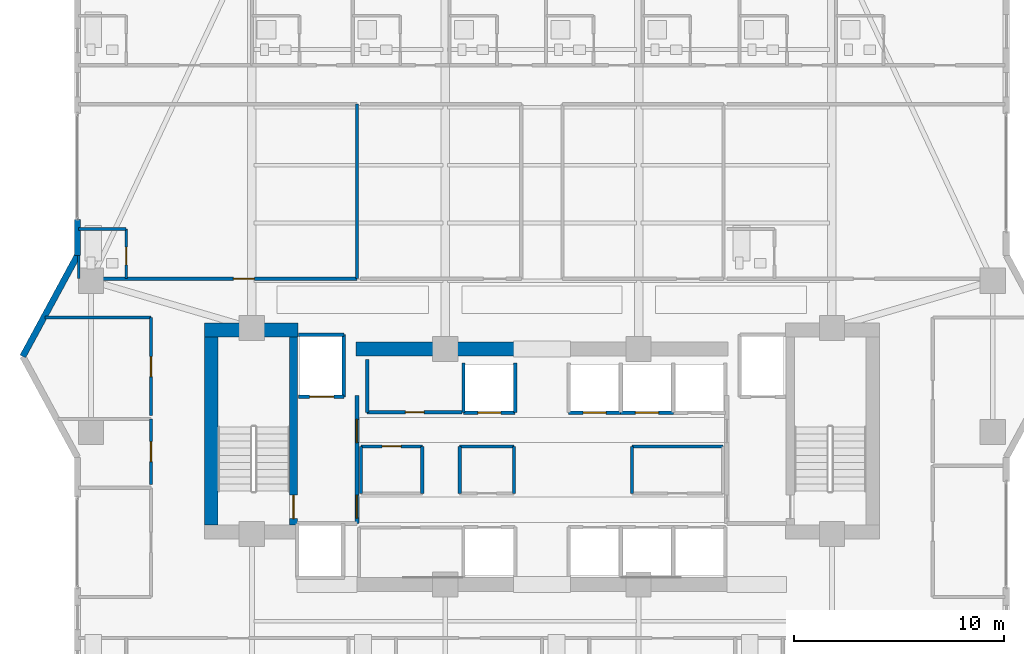
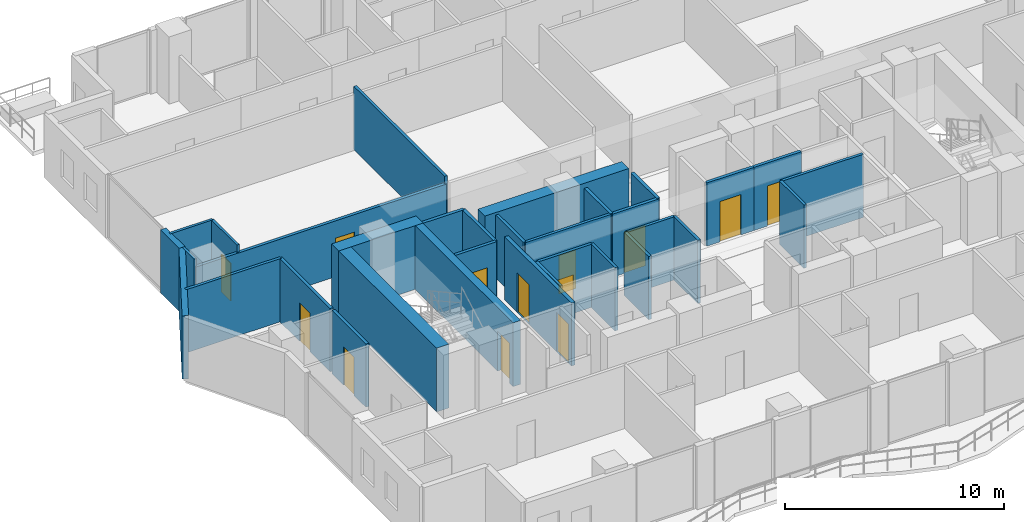
# One storey, part 25 of 32: 33 walls, 13 doors, 13 openings.
"""IFC4 building model written with IfcOpenShell, lengths in metres."""

from ifc_helpers import new_model, si_unit, direction, frame, frame_2d, origin, place, context, subcontext, project, spatial, rectangle, extrude, material, layer, layer_set, type_object, element, fill, save


model = new_model("IFC4")

# Units and contexts
model_context = context("Model", 3, precision=1e-05, world=origin(), true_north=direction((0.0, 1.0)))
body_context = subcontext(model_context, "Body", "Model", "MODEL_VIEW")
ifc_project = project(units=[si_unit("LENGTHUNIT", "METRE"), si_unit("AREAUNIT", "SQUARE_METRE"), si_unit("VOLUMEUNIT", "CUBIC_METRE"), si_unit("PLANEANGLEUNIT", "RADIAN"), si_unit("MASSUNIT", "GRAM", prefix="KILO")], contexts=[model_context])

# Site, building, storey
site_placement = place(None, origin())
site = spatial("IfcSite", under=ifc_project, at=site_placement, CompositionType="ELEMENT")
building_placement = place(site_placement, origin())
building = spatial("IfcBuilding", under=site, at=building_placement, Name="Zuhayl Quay Hotel", CompositionType="ELEMENT")
storey_placement = place(building_placement, frame((0.0, 0.0, 226.14990234375)))
storey = spatial("IfcBuildingStorey", under=building, at=storey_placement, Name="L57", CompositionType="ELEMENT", Elevation=226.14990234375)

# Walls
ifc_material_1 = material(Name="Concrete C50/60", Category="concrete")
ifc_layer_1 = layer(ifc_material_1, 0.64990234375, Name="Concrete C50/60", Category="concrete")
ifc_layer_set_1 = layer_set([ifc_layer_1], Name="Concrete C50/60")
wall_type_1 = type_object("IfcWallType", Name="WL_CORE_650", PredefinedType="SHEAR", material=ifc_layer_set_1)
wall_1_placement = place(storey_placement, frame((-16.06005859375, 14.2548828125, 0.0), z_axis=(0.0, 0.0, 1.0), x_axis=(1.0, 0.0, 0.0)))
element("IfcWall", 1, at=wall_1_placement, inside=storey, type_object=wall_type_1, Name="L57 Core Shear Wall CW_NW", PredefinedType="SHEAR", context=body_context, shape_type="SweptSolid", body=[
    extrude(rectangle(XDim=4.4599609375, YDim=0.64990234375, at=frame_2d((2.22998046875, 0.0))), origin(), (0.0, 0.0, 1.0), 3.56005859375),
])
wall_2_placement = place(storey_placement, frame((-15.735107421875, 4.969970703125, 0.0), z_axis=(0.0, 0.0, 1.0), x_axis=(0.0, 1.0, 0.0)))
element("IfcWall", 2, at=wall_2_placement, inside=storey, type_object=wall_type_1, Name="L57 Core Shear Wall CW_W", PredefinedType="SHEAR", context=body_context, shape_type="SweptSolid", body=[
    extrude(rectangle(XDim=8.9599609375, YDim=0.64990234375, at=frame_2d((4.47998046875, 0.0))), origin(), (0.0, 0.0, 1.0), 3.56005859375),
])
wall_3_placement = place(storey_placement, frame((-8.85009765625, 13.35009765625, 0.0), z_axis=(0.0, 0.0, 1.0), x_axis=(1.0, 0.0, 0.0)))
element("IfcWall", 3, at=wall_3_placement, inside=storey, type_object=wall_type_1, Name="L57 Core Shear Wall CW_NC_W", PredefinedType="SHEAR", context=body_context, shape_type="SweptSolid", body=[
    extrude(rectangle(XDim=7.60009765625, YDim=0.64990234375, at=frame_2d((3.800048828125, 0.0))), origin(), (0.0, 0.0, 1.0), 3.530029296875),
])
ifc_material_2 = material(Name="Precast concrete C45/55", Category="concrete")
ifc_layer_2 = layer(ifc_material_2, 0.300048828125, Name="Precast concrete C45/55", Category="concrete")
ifc_layer_set_2 = layer_set([ifc_layer_2], Name="Precast concrete C45/55")
wall_type_2 = type_object("IfcWallType", Name="WL_EXT_300", PredefinedType="STANDARD", material=ifc_layer_set_2)
wall_4_placement = place(storey_placement, frame((-24.699951171875, 13.0, 0.0), z_axis=(0.0, 0.0, 1.0), x_axis=(0.476258655584, 0.879305233114, 0.0)))
element("IfcWall", 4, at=wall_4_placement, inside=storey, type_object=wall_type_2, Name="L57 Exterior Precast Wall ENV_L57_EW04", PredefinedType="STANDARD", context=body_context, shape_type="SweptSolid", body=[
    extrude(rectangle(XDim=5.458984375, YDim=0.300048828125, at=frame_2d((2.7294921875, 0.0))), origin(), (0.0, 0.0, 1.0), 3.530029296875),
])
wall_5_placement = place(storey_placement, frame((-22.10009765625, 17.800048828125, 0.0), z_axis=(0.0, 0.0, 1.0), x_axis=(0.0, 1.0, 0.0)))
element("IfcWall", 5, at=wall_5_placement, inside=storey, type_object=wall_type_2, Name="L57 Exterior Precast Wall ENV_L57_E05_EW1", PredefinedType="STANDARD", context=body_context, shape_type="SweptSolid", body=[
    extrude(rectangle(XDim=1.7099609375, YDim=0.300048828125, at=frame_2d((0.85498046875, 0.0))), origin(), (0.0, 0.0, 1.0), 3.530029296875),
])

# Wall, opening, door
ifc_material_3 = material(Name="Acoustic Gypsum Partition STC-58")
ifc_layer_3 = layer(ifc_material_3, 0.14990234375, Name="Acoustic Gypsum Partition STC-58")
ifc_layer_set_3 = layer_set([ifc_layer_3], Name="Acoustic Gypsum Partition STC-58")
wall_type_3 = type_object("IfcWallType", Name="WL_PART_150", PredefinedType="PARTITIONING", material=ifc_layer_set_3)
wall_6_placement = place(storey_placement, frame((-8.31005859375, 10.340087890625, 0.0), z_axis=(0.0, 0.0, 1.0), x_axis=(1.0, 0.0, 0.0)))
wall_6 = element("IfcWall", 6, at=wall_6_placement, inside=storey, type_object=wall_type_3, Name="L57 Partition IW_L57_FLP_N_S", PredefinedType="PARTITIONING", context=body_context, shape_type="SweptSolid", body=[
    extrude(rectangle(XDim=4.52001953125, YDim=0.14990234375, at=frame_2d((2.260009765625, 0.0))), origin(), (0.0, 0.0, 1.0), 3.530029296875),
])
opening_1_placement = place(wall_6_placement, frame((1.81005859375, 0.0, 0.0)))
opening_1 = element("IfcOpeningElement", 7, at=opening_1_placement, cuts=wall_6, Name="Opening D06", PredefinedType="OPENING", context=body_context, shape_type="SweptSolid", body=[
    extrude(rectangle(XDim=0.89990234375, YDim=2.14990234375, at=frame_2d((0.449951171875, 1.074951171875))), frame((0.0, 0.0849609375, 0.0), z_axis=(0.0, -1.0, 0.0), x_axis=(1.0, 0.0, 0.0)), (0.0, 0.0, 1.0), 0.169921875),
])
ifc_material_4 = material(Name="Steel ASTM A992 Grade 50", Category="steel")
door_type_1 = type_object("IfcDoorType", Name="DR_INT_900", OperationType="NOTDEFINED", PredefinedType="DOOR", material=ifc_material_4)
door_1_placement = place(opening_1_placement, origin())
door_1 = element("IfcDoor", 8, at=door_1_placement, inside=storey, type_object=door_type_1, Name="L57 Valet Linen Store Door", OperationType="SINGLE_SWING_RIGHT", OverallHeight=2.14990234375, OverallWidth=0.89990234375, PredefinedType="DOOR", context=body_context, shape_type="SweptSolid", body=[
    extrude(rectangle(XDim=0.89990234375, YDim=2.14990234375, at=frame_2d((0.449951171875, 1.074951171875))), frame((0.0, 0.02490234375, 0.0), z_axis=(0.0, -1.0, 0.0), x_axis=(1.0, 0.0, 0.0)), (0.0, 0.0, 1.0), 0.050048828125),
])
fill(opening_1, door_1)

wall_7_placement = place(storey_placement, frame((-8.610107421875, 8.719970703125, 0.0), z_axis=(0.0, 0.0, 1.0), x_axis=(1.0, 0.0, 0.0)))
wall_7 = element("IfcWall", 9, at=wall_7_placement, inside=storey, type_object=wall_type_3, Name="L57 Partition IW_L57_CORE_HK_N", PredefinedType="PARTITIONING", context=body_context, shape_type="SweptSolid", body=[
    extrude(rectangle(XDim=2.920166015625, YDim=0.14990234375, at=frame_2d((1.4599609375, 0.0))), origin(), (0.0, 0.0, 1.0), 3.530029296875),
])
opening_2_placement = place(wall_7_placement, frame((1.010009765625, 0.0, 0.0)))
opening_2 = element("IfcOpeningElement", 10, at=opening_2_placement, cuts=wall_7, Name="Opening D06", PredefinedType="OPENING", context=body_context, shape_type="SweptSolid", body=[
    extrude(rectangle(XDim=0.89990234375, YDim=2.14990234375, at=frame_2d((0.449951171875, 1.074951171875))), frame((0.0, 0.0849609375, 0.0), z_axis=(0.0, -1.0, 0.0), x_axis=(1.0, 0.0, 0.0)), (0.0, 0.0, 1.0), 0.169921875),
])
door_2_placement = place(opening_2_placement, origin())
door_2 = element("IfcDoor", 11, at=door_2_placement, inside=storey, type_object=door_type_1, Name="L57 Core Housekeeping Store Door", OperationType="SINGLE_SWING_LEFT", OverallHeight=2.14990234375, OverallWidth=0.89990234375, PredefinedType="DOOR", context=body_context, shape_type="SweptSolid", body=[
    extrude(rectangle(XDim=0.89990234375, YDim=2.14990234375, at=frame_2d((0.449951171875, 1.074951171875))), frame((0.0, 0.02490234375, 0.0), z_axis=(0.0, -1.0, 0.0), x_axis=(1.0, 0.0, 0.0)), (0.0, 0.0, 1.0), 0.050048828125),
])
fill(opening_2, door_2)

# Walls
wall_8_placement = place(storey_placement, frame((-8.31005859375, 10.340087890625, 0.0), z_axis=(0.0, 0.0, 1.0), x_axis=(0.0, 1.0, 0.0)))
element("IfcWall", 12, at=wall_8_placement, inside=storey, type_object=wall_type_3, Name="L57 Partition IW_L57_FLP_N_W", PredefinedType="PARTITIONING", context=body_context, shape_type="SweptSolid", body=[
    extrude(rectangle(XDim=2.52001953125, YDim=0.14990234375, at=frame_2d((1.260009765625, 0.0))), origin(), (0.0, 0.0, 1.0), 3.530029296875),
])
for number, where, z_axis, x_axis, name in (
    (13, (-8.610107421875, 6.47998046875, 0.0), (0.0, 0.0, 1.0), (0.0, 1.0, 0.0), "L57 Partition IW_L57_CORE_HK_W"),
    (14, (-5.68994140625, 6.47998046875, 0.0), (0.0, 0.0, 1.0), (0.0, 1.0, 0.0), "L57 Partition IW_L57_CORE_HK_E"),
):
    element("IfcWall", number, at=place(storey_placement, frame(where, z_axis=z_axis, x_axis=x_axis)), inside=storey, type_object=wall_type_3, Name=name, PredefinedType="PARTITIONING", context=body_context, shape_type="SweptSolid", body=[
        extrude(rectangle(XDim=2.239990234375, YDim=0.14990234375, at=frame_2d((1.1201171875, 0.0))), origin(), (0.0, 0.0, 1.0), 3.530029296875),
    ])
wall_9_placement = place(storey_placement, frame((-3.909912109375, 8.719970703125, 0.0), z_axis=(0.0, 0.0, 1.0), x_axis=(1.0, 0.0, 0.0)))
element("IfcWall", 15, at=wall_9_placement, inside=storey, type_object=wall_type_3, Name="L57 Partition IW_L57_CORE_BC_N", PredefinedType="PARTITIONING", context=body_context, shape_type="SweptSolid", body=[
    extrude(rectangle(XDim=2.58984375, YDim=0.14990234375, at=frame_2d((1.294921875, 0.0))), origin(), (0.0, 0.0, 1.0), 3.530029296875),
])
for number, where, z_axis, x_axis, name in (
    (16, (-3.909912109375, 6.47998046875, 0.0), (0.0, 0.0, 1.0), (0.0, 1.0, 0.0), "L57 Partition IW_L57_CORE_BC_W"),
    (17, (-1.320068359375, 6.47998046875, 0.0), (0.0, 0.0, 1.0), (0.0, 1.0, 0.0), "L57 Partition IW_L57_CORE_BC_E"),
):
    element("IfcWall", number, at=place(storey_placement, frame(where, z_axis=z_axis, x_axis=x_axis)), inside=storey, type_object=wall_type_3, Name=name, PredefinedType="PARTITIONING", context=body_context, shape_type="SweptSolid", body=[
        extrude(rectangle(XDim=2.239990234375, YDim=0.14990234375, at=frame_2d((1.1201171875, 0.0))), origin(), (0.0, 0.0, 1.0), 3.530029296875),
    ])
wall_10_placement = place(storey_placement, frame((4.2900390625, 8.719970703125, 0.0), z_axis=(0.0, 0.0, 1.0), x_axis=(1.0, 0.0, 0.0)))
element("IfcWall", 18, at=wall_10_placement, inside=storey, type_object=wall_type_3, Name="L57 Partition IW_L57_CORE_VL_N", PredefinedType="PARTITIONING", context=body_context, shape_type="SweptSolid", body=[
    extrude(rectangle(XDim=4.320068359375, YDim=0.14990234375, at=frame_2d((2.16015625, 0.0))), origin(), (0.0, 0.0, 1.0), 3.530029296875),
])
wall_11_placement = place(storey_placement, frame((4.2900390625, 6.47998046875, 0.0), z_axis=(0.0, 0.0, 1.0), x_axis=(0.0, 1.0, 0.0)))
element("IfcWall", 19, at=wall_11_placement, inside=storey, type_object=wall_type_3, Name="L57 Partition IW_L57_CORE_VL_W", PredefinedType="PARTITIONING", context=body_context, shape_type="SweptSolid", body=[
    extrude(rectangle(XDim=2.239990234375, YDim=0.14990234375, at=frame_2d((1.1201171875, 0.0))), origin(), (0.0, 0.0, 1.0), 3.530029296875),
])
wall_12_placement = place(storey_placement, frame((-8.800048828125, 16.699951171875, 0.0), z_axis=(0.0, 0.0, 1.0), x_axis=(0.0, 1.0, 0.0)))
element("IfcWall", 20, at=wall_12_placement, inside=storey, type_object=wall_type_3, Name="L57 Partition IW_L57_MU01_E", PredefinedType="PARTITIONING", context=body_context, shape_type="SweptSolid", body=[
    extrude(rectangle(XDim=8.300048828125, YDim=0.14990234375, at=frame_2d((4.14990234375, 0.0))), origin(), (0.0, 0.0, 1.0), 3.530029296875),
])
wall_13_placement = place(storey_placement, frame((-23.637939453125, 14.85009765625, 0.0), z_axis=(0.0, 0.0, 1.0), x_axis=(1.0, 0.0, 0.0)))
element("IfcWall", 21, at=wall_13_placement, inside=storey, type_object=wall_type_3, Name="L57 Partition IW_L57_WPROW_3_N", PredefinedType="PARTITIONING", context=body_context, shape_type="SweptSolid", body=[
    extrude(rectangle(XDim=5.037841796875, YDim=0.14990234375, at=frame_2d((2.51904296875, 0.0))), origin(), (0.0, 0.0, 1.0), 3.530029296875),
])

# Wall, opening, door
ifc_layer_4 = layer(ifc_material_3, 0.159912109375, Name="Acoustic Gypsum Partition STC-58")
ifc_layer_set_4 = layer_set([ifc_layer_4], Name="Acoustic Gypsum Partition STC-58")
wall_type_4 = type_object("IfcWallType", Name="WL_PART_CORR_160", PredefinedType="PARTITIONING", material=ifc_layer_set_4)
wall_14_placement = place(storey_placement, frame((-22.0400390625, 16.699951171875, 0.0), z_axis=(0.0, 0.0, 1.0), x_axis=(1.0, 0.0, 0.0)))
wall_14 = element("IfcWall", 22, at=wall_14_placement, inside=storey, type_object=wall_type_4, Name="L57 Partition IW_L57_MU01_COR", PredefinedType="PARTITIONING", context=body_context, shape_type="SweptSolid", body=[
    extrude(rectangle(XDim=13.239990234375, YDim=0.159912109375, at=frame_2d((6.6201171875, 0.0))), origin(), (0.0, 0.0, 1.0), 3.1240234375),
])
opening_3_placement = place(wall_14_placement, frame((7.364990234375, 0.0, 0.0)))
opening_3 = element("IfcOpeningElement", 23, at=opening_3_placement, cuts=wall_14, Name="Opening D03L", PredefinedType="OPENING", context=body_context, shape_type="SweptSolid", body=[
    extrude(rectangle(XDim=1.0, YDim=2.14990234375, at=frame_2d((0.5, 1.074951171875))), frame((0.0, 0.08984375, 0.0), z_axis=(0.0, -1.0, 0.0), x_axis=(1.0, 0.0, 0.0)), (0.0, 0.0, 1.0), 0.179931640625),
])
ifc_material_5 = material(Name="Solid Walnut Acoustic Fire Door")
door_type_2 = type_object("IfcDoorType", Name="DR_SUITE_1000", OperationType="NOTDEFINED", PredefinedType="DOOR", material=ifc_material_5)
door_3_placement = place(opening_3_placement, origin())
door_3 = element("IfcDoor", 24, at=door_3_placement, inside=storey, type_object=door_type_2, Name="L57 Club Junior Suite L57-M1 Entrance Door", OperationType="SINGLE_SWING_LEFT", OverallHeight=2.14990234375, OverallWidth=1.0, PredefinedType="DOOR", context=body_context, shape_type="SweptSolid", body=[
    extrude(rectangle(XDim=1.0, YDim=2.14990234375, at=frame_2d((0.5, 1.074951171875))), frame((0.0, 0.02490234375, 0.0), z_axis=(0.0, -1.0, 0.0), x_axis=(1.0, 0.0, 0.0)), (0.0, 0.0, 1.0), 0.050048828125),
])
fill(opening_3, door_3)

wall_15_placement = place(storey_placement, frame((-18.60009765625, 6.909912109375, 0.0), z_axis=(0.0, 0.0, 1.0), x_axis=(0.0, 1.0, 0.0)))
wall_15 = element("IfcWall", 25, at=wall_15_placement, inside=storey, type_object=wall_type_4, Name="L57 Partition IW_L57_WPROW_2_E", PredefinedType="PARTITIONING", context=body_context, shape_type="SweptSolid", body=[
    extrude(rectangle(XDim=3.110107421875, YDim=0.159912109375, at=frame_2d((1.55517578125, 0.0))), origin(), (0.0, 0.0, 1.0), 3.530029296875),
])
opening_4_placement = place(wall_15_placement, frame((1.080078125, 0.0, 0.0)))
opening_4 = element("IfcOpeningElement", 26, at=opening_4_placement, cuts=wall_15, Name="Opening D03", PredefinedType="OPENING", context=body_context, shape_type="SweptSolid", body=[
    extrude(rectangle(XDim=0.949951171875, YDim=2.14990234375, at=frame_2d((0.47509765625, 1.074951171875))), frame((0.0, 0.08984375, 0.0), z_axis=(0.0, -1.0, 0.0), x_axis=(1.0, 0.0, 0.0)), (0.0, 0.0, 1.0), 0.179931640625),
])
door_type_3 = type_object("IfcDoorType", Name="DR_SUITE_950", OperationType="NOTDEFINED", PredefinedType="DOOR", material=ifc_material_5)
door_4_placement = place(opening_4_placement, origin())
door_4 = element("IfcDoor", 27, at=door_4_placement, inside=storey, type_object=door_type_3, Name="L57 Sunset Tea Salon L57 Door", OperationType="SINGLE_SWING_LEFT", OverallHeight=2.14990234375, OverallWidth=0.949951171875, PredefinedType="DOOR", context=body_context, shape_type="SweptSolid", body=[
    extrude(rectangle(XDim=0.949951171875, YDim=2.14990234375, at=frame_2d((0.47509765625, 1.074951171875))), frame((0.0, 0.02490234375, 0.0), z_axis=(0.0, -1.0, 0.0), x_axis=(1.0, 0.0, 0.0)), (0.0, 0.0, 1.0), 0.050048828125),
])
fill(opening_4, door_4)

wall_16_placement = place(storey_placement, frame((-18.60009765625, 10.179931640625, 0.0), z_axis=(0.0, 0.0, 1.0), x_axis=(0.0, 1.0, 0.0)))
wall_16 = element("IfcWall", 28, at=wall_16_placement, inside=storey, type_object=wall_type_4, Name="L57 Partition IW_L57_WPROW_3_E", PredefinedType="PARTITIONING", context=body_context, shape_type="SweptSolid", body=[
    extrude(rectangle(XDim=4.670166015625, YDim=0.159912109375, at=frame_2d((2.3349609375, 0.0))), origin(), (0.0, 0.0, 1.0), 3.530029296875),
])
opening_5_placement = place(wall_16_placement, frame((1.860107421875, 0.0, 0.0)))
opening_5 = element("IfcOpeningElement", 29, at=opening_5_placement, cuts=wall_16, Name="Opening D03", PredefinedType="OPENING", context=body_context, shape_type="SweptSolid", body=[
    extrude(rectangle(XDim=0.949951171875, YDim=2.14990234375, at=frame_2d((0.47509765625, 1.074951171875))), frame((0.0, 0.08984375, 0.0), z_axis=(0.0, -1.0, 0.0), x_axis=(1.0, 0.0, 0.0)), (0.0, 0.0, 1.0), 0.179931640625),
])
door_5_placement = place(opening_5_placement, origin())
door_5 = element("IfcDoor", 30, at=door_5_placement, inside=storey, type_object=door_type_3, Name="L57 West Horizon Salon L57 Door", OperationType="SINGLE_SWING_RIGHT", OverallHeight=2.14990234375, OverallWidth=0.949951171875, PredefinedType="DOOR", context=body_context, shape_type="SweptSolid", body=[
    extrude(rectangle(XDim=0.949951171875, YDim=2.14990234375, at=frame_2d((0.47509765625, 1.074951171875))), frame((0.0, 0.02490234375, 0.0), z_axis=(0.0, -1.0, 0.0), x_axis=(1.0, 0.0, 0.0)), (0.0, 0.0, 1.0), 0.050048828125),
])
fill(opening_5, door_5)

ifc_material_6 = material(Name="Moisture-Resistant Sanitarychase Gypsum")
ifc_layer_5 = layer(ifc_material_6, 0.135009765625, Name="Moisture-Resistant Sanitarychase Gypsum")
ifc_layer_set_5 = layer_set([ifc_layer_5], Name="Moisture-Resistant Sanitarychase Gypsum")
wall_type_5 = type_object("IfcWallType", Name="WL_PART_PLUMB_150", PredefinedType="PLUMBINGWALL", material=ifc_layer_set_5)
wall_17_placement = place(storey_placement, frame((-19.780029296875, 16.699951171875, 0.0), z_axis=(0.0, 0.0, 1.0), x_axis=(0.0, 1.0, 0.0)))
wall_17 = element("IfcWall", 31, at=wall_17_placement, inside=storey, type_object=wall_type_5, Name="L57 Partition IW_L57_MU01_BE", PredefinedType="PLUMBINGWALL", context=body_context, shape_type="SweptSolid", body=[
    extrude(rectangle(XDim=2.360107421875, YDim=0.135009765625, at=frame_2d((1.18017578125, 0.0))), origin(), (0.0, 0.0, 1.0), 3.530029296875),
])
opening_6_placement = place(wall_17_placement, frame((0.64990234375, 0.0, 0.0)))
opening_6 = element("IfcOpeningElement", 32, at=opening_6_placement, cuts=wall_17, Name="Opening D04", PredefinedType="OPENING", context=body_context, shape_type="SweptSolid", body=[
    extrude(rectangle(XDim=0.85009765625, YDim=2.10009765625, at=frame_2d((0.425048828125, 1.050048828125))), frame((0.0, 0.077392578125, 0.0), z_axis=(0.0, -1.0, 0.0), x_axis=(1.0, 0.0, 0.0)), (0.0, 0.0, 1.0), 0.155029296875),
])
ifc_material_7 = material(Name="Moisture-Resistant Walnut Veneer")
door_type_4 = type_object("IfcDoorType", Name="DR_BATH_850", OperationType="NOTDEFINED", PredefinedType="DOOR", material=ifc_material_7)
door_6_placement = place(opening_6_placement, origin())
door_6 = element("IfcDoor", 33, at=door_6_placement, inside=storey, type_object=door_type_4, Name="L57 Club Junior Suite L57-M1 En-Suite Door", OperationType="SINGLE_SWING_RIGHT", OverallHeight=2.10009765625, OverallWidth=0.85009765625, PredefinedType="DOOR", context=body_context, shape_type="SweptSolid", body=[
    extrude(rectangle(XDim=0.85009765625, YDim=2.10009765625, at=frame_2d((0.425048828125, 1.050048828125))), frame((0.0, 0.02490234375, 0.0), z_axis=(0.0, -1.0, 0.0), x_axis=(1.0, 0.0, 0.0)), (0.0, 0.0, 1.0), 0.050048828125),
])
fill(opening_6, door_6)

# Walls
wall_18_placement = place(storey_placement, frame((-22.0400390625, 19.06005859375, 0.0), z_axis=(0.0, 0.0, 1.0), x_axis=(1.0, 0.0, 0.0)))
element("IfcWall", 34, at=wall_18_placement, inside=storey, type_object=wall_type_5, Name="L57 Partition IW_L57_MU01_BN", PredefinedType="PLUMBINGWALL", context=body_context, shape_type="SweptSolid", body=[
    extrude(rectangle(XDim=2.260009765625, YDim=0.135009765625, at=frame_2d((1.1298828125, 0.0))), origin(), (0.0, 0.0, 1.0), 3.530029296875),
])
wall_19_placement = place(storey_placement, frame((-22.0400390625, 16.699951171875, 0.0), z_axis=(0.0, 0.0, 1.0), x_axis=(0.0, 1.0, 0.0)))
element("IfcWall", 35, at=wall_19_placement, inside=storey, type_object=wall_type_5, Name="L57 Partition IW_L57_MU01_BW", PredefinedType="PLUMBINGWALL", context=body_context, shape_type="SweptSolid", body=[
    extrude(rectangle(XDim=1.10009765625, YDim=0.135009765625, at=frame_2d((0.550048828125, 0.0))), origin(), (0.0, 0.0, 1.0), 3.530029296875),
])

# Wall, opening, door
ifc_material_8 = material(Name="Gypsum Fireboard Assembly EI-90")
ifc_layer_6 = layer(ifc_material_8, 0.1650390625, Name="Gypsum Fireboard Assembly EI-90")
ifc_layer_set_6 = layer_set([ifc_layer_6], Name="Gypsum Fireboard Assembly EI-90")
wall_type_6 = type_object("IfcWallType", Name="WL_PART_SHAFT_160", PredefinedType="PARTITIONING", material=ifc_layer_set_6)
wall_20_placement = place(storey_placement, frame((-11.580078125, 11.070068359375, 0.0), z_axis=(0.0, 0.0, 1.0), x_axis=(1.0, 0.0, 0.0)))
wall_20 = element("IfcWall", 36, at=wall_20_placement, inside=storey, type_object=wall_type_6, Name="L57 Partition IW_L57_SH_FL1_F", PredefinedType="PARTITIONING", context=body_context, shape_type="SweptSolid", body=[
    extrude(rectangle(XDim=2.16015625, YDim=0.1650390625, at=frame_2d((1.080078125, 0.0))), origin(), (0.0, 0.0, 1.0), 3.530029296875),
])
opening_7_placement = place(wall_20_placement, frame((0.530029296875, 0.0, 0.0)))
opening_7 = element("IfcOpeningElement", 37, at=opening_7_placement, cuts=wall_20, Name="Opening LD2", PredefinedType="OPENING", context=body_context, shape_type="SweptSolid", body=[
    extrude(rectangle(XDim=1.14990234375, YDim=2.25, at=frame_2d((0.574951171875, 1.125))), frame((0.0, 0.092529296875, 0.0), z_axis=(0.0, -1.0, 0.0), x_axis=(1.0, 0.0, 0.0)), (0.0, 0.0, 1.0), 0.18505859375),
])
ifc_material_9 = material(Name="Brushed Stainless Steel", Category="steel")
door_type_5 = type_object("IfcDoorType", Name="DR_LIFT_FF_1100", OperationType="SLIDING_TO_LEFT", PredefinedType="DOOR", material=ifc_material_9)
door_7_placement = place(opening_7_placement, origin())
door_7 = element("IfcDoor", 38, at=door_7_placement, inside=storey, type_object=door_type_5, Name="L57 Lift FL1 Sliding Landing Door", OperationType="SLIDING_TO_LEFT", OverallHeight=2.25, OverallWidth=1.14990234375, PredefinedType="DOOR", context=body_context, shape_type="SweptSolid", body=[
    extrude(rectangle(XDim=1.14990234375, YDim=2.25, at=frame_2d((0.574951171875, 1.125))), frame((0.0, 0.02490234375, 0.0), z_axis=(0.0, -1.0, 0.0), x_axis=(1.0, 0.0, 0.0)), (0.0, 0.0, 1.0), 0.050048828125),
])
fill(opening_7, door_7)

wall_21_placement = place(storey_placement, frame((-3.72998046875, 10.320068359375, 0.0), z_axis=(0.0, 0.0, 1.0), x_axis=(1.0, 0.0, 0.0)))
wall_21 = element("IfcWall", 39, at=wall_21_placement, inside=storey, type_object=wall_type_6, Name="L57 Partition IW_L57_SH_MP3_F", PredefinedType="PARTITIONING", context=body_context, shape_type="SweptSolid", body=[
    extrude(rectangle(XDim=2.4599609375, YDim=0.1650390625, at=frame_2d((1.22998046875, 0.0))), origin(), (0.0, 0.0, 1.0), 3.530029296875),
])
opening_8_placement = place(wall_21_placement, frame((0.679931640625, 0.0, 0.0)))
opening_8 = element("IfcOpeningElement", 40, at=opening_8_placement, cuts=wall_21, Name="Opening LD1", PredefinedType="OPENING", context=body_context, shape_type="SweptSolid", body=[
    extrude(rectangle(XDim=1.10009765625, YDim=2.25, at=frame_2d((0.550048828125, 1.125))), frame((0.0, 0.092529296875, 0.0), z_axis=(0.0, -1.0, 0.0), x_axis=(1.0, 0.0, 0.0)), (0.0, 0.0, 1.0), 0.18505859375),
])
door_type_6 = type_object("IfcDoorType", Name="DR_LIFT_PASS_1100", OperationType="SLIDING_TO_LEFT", PredefinedType="DOOR", material=ifc_material_9)
door_8_placement = place(opening_8_placement, origin())
door_8 = element("IfcDoor", 41, at=door_8_placement, inside=storey, type_object=door_type_6, Name="L57 Lift MP3 Sliding Landing Door", OperationType="SLIDING_TO_LEFT", OverallHeight=2.25, OverallWidth=1.10009765625, PredefinedType="DOOR", context=body_context, shape_type="SweptSolid", body=[
    extrude(rectangle(XDim=1.10009765625, YDim=2.25, at=frame_2d((0.550048828125, 1.125))), frame((0.0, 0.02490234375, 0.0), z_axis=(0.0, -1.0, 0.0), x_axis=(1.0, 0.0, 0.0)), (0.0, 0.0, 1.0), 0.050048828125),
])
fill(opening_8, door_8)

wall_22_placement = place(storey_placement, frame((1.27001953125, 10.320068359375, 0.0), z_axis=(0.0, 0.0, 1.0), x_axis=(1.0, 0.0, 0.0)))
wall_22 = element("IfcWall", 42, at=wall_22_placement, inside=storey, type_object=wall_type_6, Name="L57 Partition IW_L57_SH_MP4_F", PredefinedType="PARTITIONING", context=body_context, shape_type="SweptSolid", body=[
    extrude(rectangle(XDim=2.47998046875, YDim=0.1650390625, at=frame_2d((1.239990234375, 0.0))), origin(), (0.0, 0.0, 1.0), 3.530029296875),
])
opening_9_placement = place(wall_22_placement, frame((0.68994140625, 0.0, 0.0)))
opening_9 = element("IfcOpeningElement", 43, at=opening_9_placement, cuts=wall_22, Name="Opening LD1", PredefinedType="OPENING", context=body_context, shape_type="SweptSolid", body=[
    extrude(rectangle(XDim=1.10009765625, YDim=2.25, at=frame_2d((0.550048828125, 1.125))), frame((0.0, 0.092529296875, 0.0), z_axis=(0.0, -1.0, 0.0), x_axis=(1.0, 0.0, 0.0)), (0.0, 0.0, 1.0), 0.18505859375),
])
door_9_placement = place(opening_9_placement, origin())
door_9 = element("IfcDoor", 44, at=door_9_placement, inside=storey, type_object=door_type_6, Name="L57 Lift MP4 Sliding Landing Door", OperationType="SLIDING_TO_LEFT", OverallHeight=2.25, OverallWidth=1.10009765625, PredefinedType="DOOR", context=body_context, shape_type="SweptSolid", body=[
    extrude(rectangle(XDim=1.10009765625, YDim=2.25, at=frame_2d((0.550048828125, 1.125))), frame((0.0, 0.02490234375, 0.0), z_axis=(0.0, -1.0, 0.0), x_axis=(1.0, 0.0, 0.0)), (0.0, 0.0, 1.0), 0.050048828125),
])
fill(opening_9, door_9)

wall_23_placement = place(storey_placement, frame((3.75, 10.320068359375, 0.0), z_axis=(0.0, 0.0, 1.0), x_axis=(1.0, 0.0, 0.0)))
wall_23 = element("IfcWall", 45, at=wall_23_placement, inside=storey, type_object=wall_type_6, Name="L57 Partition IW_L57_SH_HP3_F", PredefinedType="PARTITIONING", context=body_context, shape_type="SweptSolid", body=[
    extrude(rectangle(XDim=2.5, YDim=0.1650390625, at=frame_2d((1.25, 0.0))), origin(), (0.0, 0.0, 1.0), 3.530029296875),
])
opening_10_placement = place(wall_23_placement, frame((0.699951171875, 0.0, 0.0)))
opening_10 = element("IfcOpeningElement", 46, at=opening_10_placement, cuts=wall_23, Name="Opening LD1", PredefinedType="OPENING", context=body_context, shape_type="SweptSolid", body=[
    extrude(rectangle(XDim=1.10009765625, YDim=2.25, at=frame_2d((0.550048828125, 1.125))), frame((0.0, 0.092529296875, 0.0), z_axis=(0.0, -1.0, 0.0), x_axis=(1.0, 0.0, 0.0)), (0.0, 0.0, 1.0), 0.18505859375),
])
door_10_placement = place(opening_10_placement, origin())
door_10 = element("IfcDoor", 47, at=door_10_placement, inside=storey, type_object=door_type_6, Name="L57 Lift HP3 Sliding Landing Door", OperationType="SLIDING_TO_LEFT", OverallHeight=2.25, OverallWidth=1.10009765625, PredefinedType="DOOR", context=body_context, shape_type="SweptSolid", body=[
    extrude(rectangle(XDim=1.10009765625, YDim=2.25, at=frame_2d((0.550048828125, 1.125))), frame((0.0, 0.02490234375, 0.0), z_axis=(0.0, -1.0, 0.0), x_axis=(1.0, 0.0, 0.0)), (0.0, 0.0, 1.0), 0.050048828125),
])
fill(opening_10, door_10)

# Walls
wall_24_placement = place(storey_placement, frame((-9.419921875, 11.070068359375, 0.0), z_axis=(0.0, 0.0, 1.0), x_axis=(0.0, 1.0, 0.0)))
element("IfcWall", 48, at=wall_24_placement, inside=storey, type_object=wall_type_6, Name="L57 Partition IW_L57_SH_FL1_E", PredefinedType="PARTITIONING", context=body_context, shape_type="SweptSolid", body=[
    extrude(rectangle(XDim=2.9599609375, YDim=0.1650390625, at=frame_2d((1.47998046875, 0.0))), origin(), (0.0, 0.0, 1.0), 3.530029296875),
])
wall_25_placement = place(storey_placement, frame((-11.580078125, 14.030029296875, 0.0), z_axis=(0.0, 0.0, 1.0), x_axis=(1.0, 0.0, 0.0)))
element("IfcWall", 49, at=wall_25_placement, inside=storey, type_object=wall_type_6, Name="L57 Partition IW_L57_SH_FL1_B", PredefinedType="PARTITIONING", context=body_context, shape_type="SweptSolid", body=[
    extrude(rectangle(XDim=2.16015625, YDim=0.1650390625, at=frame_2d((1.080078125, 0.0))), origin(), (0.0, 0.0, 1.0), 3.530029296875),
])
for number, where, z_axis, x_axis, name in (
    (50, (-3.72998046875, 10.320068359375, 0.0), (0.0, 0.0, 1.0), (0.0, 1.0, 0.0), "L57 Partition IW_L57_SH_MP3_W"),
    (51, (-1.27001953125, 10.320068359375, 0.0), (0.0, 0.0, 1.0), (0.0, 1.0, 0.0), "L57 Partition IW_L57_SH_MP3_E"),
):
    element("IfcWall", number, at=place(storey_placement, frame(where, z_axis=z_axis, x_axis=x_axis)), inside=storey, type_object=wall_type_6, Name=name, PredefinedType="PARTITIONING", context=body_context, shape_type="SweptSolid", body=[
        extrude(rectangle(XDim=2.35986328125, YDim=0.1650390625, at=frame_2d((1.179931640625, 0.0))), origin(), (0.0, 0.0, 1.0), 3.530029296875),
    ])

# Wall, openings, doors
ifc_material_10 = material(Name="Gypsum Fireboard Assembly EI-120")
ifc_layer_7 = layer(ifc_material_10, 0.199951171875, Name="Gypsum Fireboard Assembly EI-120")
ifc_layer_set_7 = layer_set([ifc_layer_7], Name="Gypsum Fireboard Assembly EI-120")
wall_type_7 = type_object("IfcWallType", Name="WL_PART_SHAFT_200", PredefinedType="PARTITIONING", material=ifc_layer_set_7)
wall_26_placement = place(storey_placement, frame((-8.800048828125, 5.050048828125, 0.0), z_axis=(0.0, 0.0, 1.0), x_axis=(0.0, 1.0, 0.0)))
wall_26 = element("IfcWall", 52, at=wall_26_placement, inside=storey, type_object=wall_type_7, Name="L57 Partition IW_L57_FSAE_W_E", PredefinedType="PARTITIONING", context=body_context, shape_type="SweptSolid", body=[
    extrude(rectangle(XDim=6.099853515625, YDim=0.199951171875, at=frame_2d((3.0498046875, 0.0))), origin(), (0.0, 0.0, 1.0), 3.530029296875),
])
opening_11_placement = place(wall_26_placement, frame((0.25, 0.0, 0.0)))
opening_11 = element("IfcOpeningElement", 53, at=opening_11_placement, cuts=wall_26, Name="Opening D02", PredefinedType="OPENING", context=body_context, shape_type="SweptSolid", body=[
    extrude(rectangle(XDim=1.10009765625, YDim=2.199951171875, at=frame_2d((0.550048828125, 1.10009765625))), frame((0.0, 0.10986328125, 0.0), z_axis=(0.0, -1.0, 0.0), x_axis=(1.0, 0.0, 0.0)), (0.0, 0.0, 1.0), 0.219970703125),
])
opening_12_placement = place(wall_26_placement, frame((3.85009765625, 0.0, 0.0)))
opening_12 = element("IfcOpeningElement", 54, at=opening_12_placement, cuts=wall_26, Name="Opening D02", PredefinedType="OPENING", context=body_context, shape_type="SweptSolid", body=[
    extrude(rectangle(XDim=1.10009765625, YDim=2.199951171875, at=frame_2d((0.550048828125, 1.10009765625))), frame((0.0, 0.10986328125, 0.0), z_axis=(0.0, -1.0, 0.0), x_axis=(1.0, 0.0, 0.0)), (0.0, 0.0, 1.0), 0.219970703125),
])
door_type_7 = type_object("IfcDoorType", Name="DR_FIRE_90_1100", OperationType="NOTDEFINED", PredefinedType="DOOR", material=ifc_material_4)
door_11_placement = place(opening_11_placement, origin())
door_11 = element("IfcDoor", 55, at=door_11_placement, inside=storey, type_object=door_type_7, Name="L57 FSAE Lobby West South Entry Door", OperationType="SINGLE_SWING_LEFT", OverallHeight=2.199951171875, OverallWidth=1.10009765625, PredefinedType="DOOR", context=body_context, shape_type="SweptSolid", body=[
    extrude(rectangle(XDim=1.10009765625, YDim=2.199951171875, at=frame_2d((0.550048828125, 1.10009765625))), frame((0.0, 0.02490234375, 0.0), z_axis=(0.0, -1.0, 0.0), x_axis=(1.0, 0.0, 0.0)), (0.0, 0.0, 1.0), 0.050048828125),
])
fill(opening_11, door_11)
door_12_placement = place(opening_12_placement, origin())
door_12 = element("IfcDoor", 56, at=door_12_placement, inside=storey, type_object=door_type_7, Name="L57 FSAE Lobby West North Entry Door", OperationType="SINGLE_SWING_RIGHT", OverallHeight=2.199951171875, OverallWidth=1.10009765625, PredefinedType="DOOR", context=body_context, shape_type="SweptSolid", body=[
    extrude(rectangle(XDim=1.10009765625, YDim=2.199951171875, at=frame_2d((0.550048828125, 1.10009765625))), frame((0.0, 0.02490234375, 0.0), z_axis=(0.0, -1.0, 0.0), x_axis=(1.0, 0.0, 0.0)), (0.0, 0.0, 1.0), 0.050048828125),
])
fill(opening_12, door_12)

# Wall, opening, door
ifc_material_11 = material(Name="Concrete C60/75", Category="concrete")
ifc_layer_8 = layer(ifc_material_11, 0.39990234375, Name="Concrete C60/75", Category="concrete")
ifc_layer_set_8 = layer_set([ifc_layer_8], Name="Concrete C60/75")
wall_type_8 = type_object("IfcWallType", Name="WL_STAIR_400", PredefinedType="SHEAR", material=ifc_layer_set_8)
wall_27_placement = place(storey_placement, frame((-11.820068359375, 4.969970703125, 0.0), z_axis=(0.0, 0.0, 1.0), x_axis=(0.0, 1.0, 0.0)))
wall_27 = element("IfcWall", 57, at=wall_27_placement, inside=storey, type_object=wall_type_8, Name="L57 Core Shear Wall SW_ST1", PredefinedType="SHEAR", context=body_context, shape_type="SweptSolid", body=[
    extrude(rectangle(XDim=8.9599609375, YDim=0.39990234375, at=frame_2d((4.47998046875, 0.0))), origin(), (0.0, 0.0, 1.0), 3.56005859375),
])
opening_13_placement = place(wall_27_placement, frame((0.31005859375, 0.0, 0.0)))
opening_13 = element("IfcOpeningElement", 58, at=opening_13_placement, cuts=wall_27, Name="Opening D01", PredefinedType="OPENING", context=body_context, shape_type="SweptSolid", body=[
    extrude(rectangle(XDim=1.1201171875, YDim=2.219970703125, at=frame_2d((0.56005859375, 1.10986328125))), frame((0.0, 0.2099609375, 0.0), z_axis=(0.0, -1.0, 0.0), x_axis=(1.0, 0.0, 0.0)), (0.0, 0.0, 1.0), 0.419921875),
])
door_type_8 = type_object("IfcDoorType", Name="DR_STAIR_90_1100", OperationType="NOTDEFINED", PredefinedType="DOOR", material=ifc_material_4)
door_13_placement = place(opening_13_placement, origin())
door_13 = element("IfcDoor", 59, at=door_13_placement, inside=storey, type_object=door_type_8, Name="L57 Smokeproof Exit Stair ST1 Door", OperationType="SINGLE_SWING_LEFT", OverallHeight=2.219970703125, OverallWidth=1.1201171875, PredefinedType="DOOR", context=body_context, shape_type="SweptSolid", body=[
    extrude(rectangle(XDim=1.1201171875, YDim=2.219970703125, at=frame_2d((0.56005859375, 1.10986328125))), frame((0.0, 0.02490234375, 0.0), z_axis=(0.0, -1.0, 0.0), x_axis=(1.0, 0.0, 0.0)), (0.0, 0.0, 1.0), 0.050048828125),
])
fill(opening_13, door_13)

save(model, "model.ifc")
